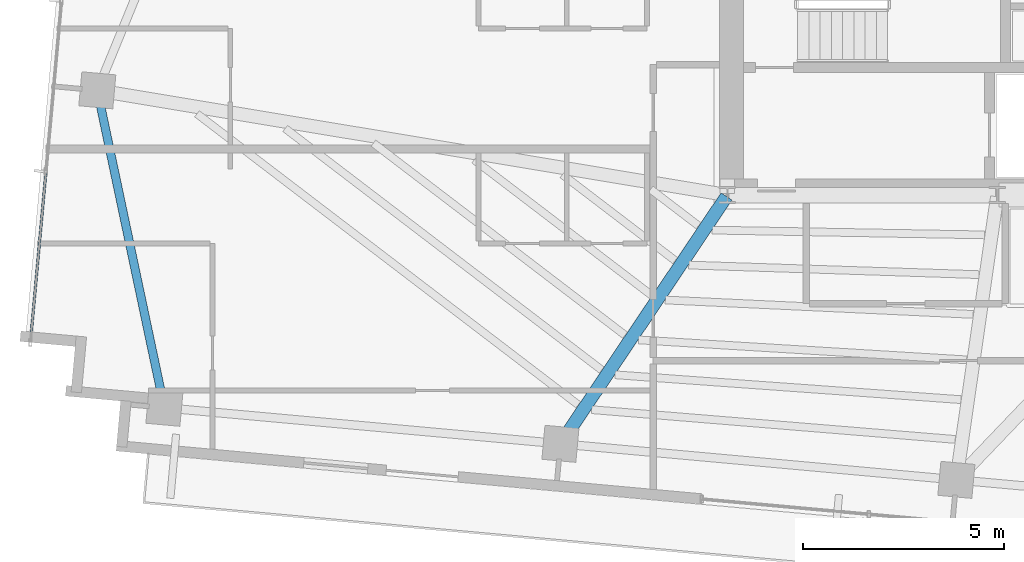
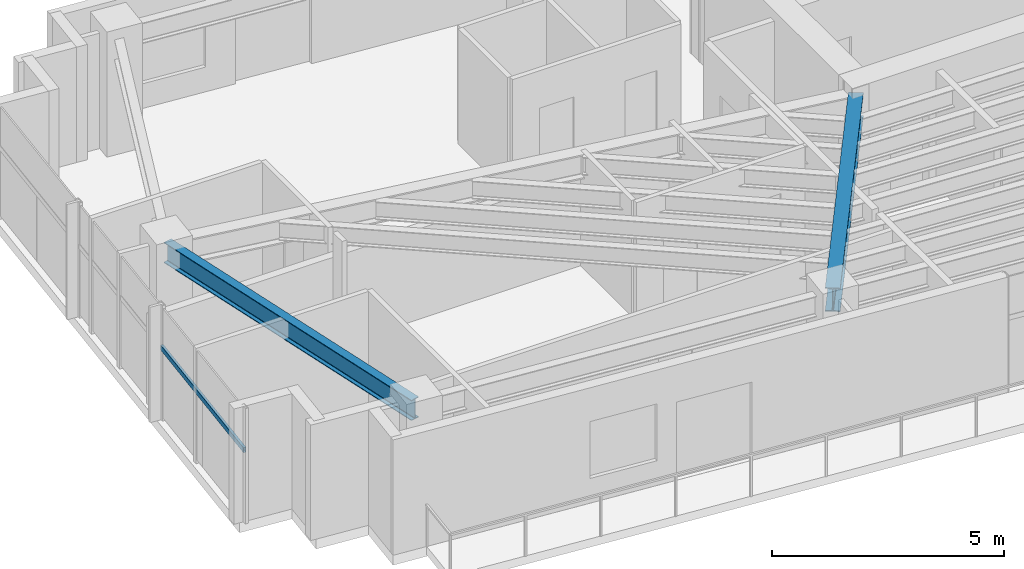
# One storey, part 3 of 22: 2 beams, 1 member, 1 element without a shape of its own.
"""IFC4 building model written with IfcOpenShell, lengths in metres."""

import ifcopenshell
import ifcopenshell.guid

model = None  # the IFC model being written
_history = None  # IfcOwnerHistory: only IFC2X3 demands one
_inside = {}  # id of a spatial element -> (the spatial element, [elements in it])
_under = {}  # id of a project, library or spatial element -> (it, [spatial elements below it])
_declared = {}  # id of a project -> (the project, [libraries it declares])
_typed = {}  # id of a type object -> (the type object, [elements of that type])
_made_of = {}  # id of a material, layer set ... -> (it, [elements and type objects made of it])


def new_model(schema):
    """Start an empty IFC model of exactly this schema.

    Asked for "IFC4X3", IfcOpenShell would pick the latest addendum, in which some entities
    have other attributes; the version numbers below select the first issue.
    IFC2X3 requires an IfcOwnerHistory on every rooted entity: one is made here for all.
    """
    global model, _history
    if schema == "IFC4X3":
        model = ifcopenshell.file(schema_version=(4, 3, 0, 0))
    else:
        model = ifcopenshell.file(schema=schema)
    _inside.clear()
    _under.clear()
    _declared.clear()
    _typed.clear()
    _made_of.clear()
    _history = None
    if model.schema == "IFC2X3":
        org = make("IfcOrganization", Name="unknown")
        user = make(
            "IfcPersonAndOrganization",
            ThePerson=make("IfcPerson", FamilyName="unknown"),
            TheOrganization=org,
        )
        app = make(
            "IfcApplication",
            ApplicationDeveloper=org,
            Version="unknown",
            ApplicationFullName="unknown",
            ApplicationIdentifier="unknown",
        )
        _history = make(
            "IfcOwnerHistory",
            OwningUser=user,
            OwningApplication=app,
            ChangeAction="ADDED",
            CreationDate=0,
        )
    return model


def make(cls, **values):
    """One entity of the class cls with the attributes given. An attribute that is None is left unset."""
    return model.create_entity(
        cls, **{name: value for name, value in values.items() if value is not None}
    )


def rooted(cls, **values):
    """An entity with a GlobalId (a new one), such as an element, a storey or a relation."""
    return make(cls, GlobalId=ifcopenshell.guid.new(), OwnerHistory=_history, **values)


def si_unit(unit_type, name, prefix=None):
    """IfcSIUnit, for example si_unit("LENGTHUNIT", "METRE", prefix="MILLI")."""
    return make("IfcSIUnit", UnitType=unit_type, Prefix=prefix, Name=name)


def assignment(units):
    """IfcUnitAssignment: the units of a project."""
    return None if units is None else make("IfcUnitAssignment", Units=units)


def point(xyz):
    """IfcCartesianPoint."""
    return None if xyz is None else make("IfcCartesianPoint", Coordinates=xyz)


def direction(xyz):
    """IfcDirection."""
    return None if xyz is None else make("IfcDirection", DirectionRatios=xyz)


def frame(location, z_axis=None, x_axis=None):
    """IfcAxis2Placement3D, a coordinate frame: its origin and axes. An axis left out is left unset."""
    return make(
        "IfcAxis2Placement3D",
        Location=point(location),
        Axis=direction(z_axis),
        RefDirection=direction(x_axis),
    )


def frame_2d(location, x_axis=None):
    """IfcAxis2Placement2D, a coordinate frame in the plane: its origin and x axis."""
    return make(
        "IfcAxis2Placement2D", Location=point(location), RefDirection=direction(x_axis)
    )


def origin():
    """The frame at (0, 0, 0) with its axes left unset."""
    return frame((0.0, 0.0, 0.0))


def origin_2d():
    """The frame at (0, 0) in the plane with its x axis left unset."""
    return frame_2d((0.0, 0.0))


def place(relative_to, where):
    """IfcLocalPlacement: puts the frame where relative to a parent placement (None: the world)."""
    return make(
        "IfcLocalPlacement", PlacementRelTo=relative_to, RelativePlacement=where
    )


def context(
    kind, dimensions, precision=None, world=None, true_north=None, identifier=None
):
    """IfcGeometricRepresentationContext, for example the 3D "Model" context."""
    return make(
        "IfcGeometricRepresentationContext",
        ContextIdentifier=identifier,
        ContextType=kind,
        CoordinateSpaceDimension=dimensions,
        Precision=precision,
        WorldCoordinateSystem=world,
        TrueNorth=true_north,
    )


def subcontext(parent, identifier, kind, view, scale=None):
    """IfcGeometricRepresentationSubContext, for example "Body" below "Model"."""
    return make(
        "IfcGeometricRepresentationSubContext",
        ContextIdentifier=identifier,
        ContextType=kind,
        ParentContext=parent,
        TargetScale=scale,
        TargetView=view,
    )


def project(units=None, contexts=None):
    """IfcProject with its units and contexts."""
    return rooted(
        "IfcProject",
        Name="project",
        RepresentationContexts=contexts,
        UnitsInContext=assignment(units),
    )


def spatial(cls, under=None, at=None, **own):
    """A site, building, storey or space (cls), placed at a placement, below another one or the project."""
    s = rooted(cls, ObjectPlacement=at, **own)
    if under is not None:
        _under.setdefault(under.id(), (under, []))[1].append(s)
    return s


def profile(cls, at=None, kind="AREA", **sizes):
    """A parametric profile (cls). Its sizes go by their IFC names, for example OverallWidth=200.0."""
    return make(cls, ProfileType=kind, Position=at, **sizes)


def hollow_rectangle(**sizes):
    """IfcRectangleHollowProfileDef."""
    return profile("IfcRectangleHollowProfileDef", **sizes)


def i_section(**sizes):
    """IfcIShapeProfileDef."""
    return profile("IfcIShapeProfileDef", **sizes)


def extrude(swept, where, along, depth):
    """IfcExtrudedAreaSolid: the profile swept, set in the frame where, extruded along a direction by depth."""
    return make(
        "IfcExtrudedAreaSolid",
        SweptArea=swept,
        Position=where,
        ExtrudedDirection=direction(along),
        Depth=depth,
    )


def shape(context_of_items, identifier, shape_type, items):
    """IfcShapeRepresentation: the items that make up one representation, for example the "Body"."""
    return make(
        "IfcShapeRepresentation",
        ContextOfItems=context_of_items,
        RepresentationIdentifier=identifier,
        RepresentationType=shape_type,
        Items=items,
    )


def source(mapping_origin, context_of_items, identifier, shape_type, items):
    """IfcRepresentationMap: a shape defined once, which mapped items show again and again."""
    return make(
        "IfcRepresentationMap",
        MappingOrigin=mapping_origin,
        MappedRepresentation=shape(context_of_items, identifier, shape_type, items),
    )


def transform(
    local_origin,
    x_axis=None,
    y_axis=None,
    z_axis=None,
    scale=None,
    scale2=None,
    scale3=None,
    uniform=True,
):
    """IfcCartesianTransformationOperator3D, or its non-uniform kind. x_axis, y_axis, z_axis: its Axis1, 2, 3."""
    if uniform:
        return make(
            "IfcCartesianTransformationOperator3D",
            Axis1=direction(x_axis),
            Axis2=direction(y_axis),
            LocalOrigin=point(local_origin),
            Scale=scale,
            Axis3=direction(z_axis),
        )
    return make(
        "IfcCartesianTransformationOperator3DnonUniform",
        Axis1=direction(x_axis),
        Axis2=direction(y_axis),
        LocalOrigin=point(local_origin),
        Scale=scale,
        Axis3=direction(z_axis),
        Scale2=scale2,
        Scale3=scale3,
    )


def mapped(mapping_source, mapping_target):
    """IfcMappedItem: shows the shape of a source again, moved by a transform."""
    return make(
        "IfcMappedItem", MappingSource=mapping_source, MappingTarget=mapping_target
    )


def material(Name=None, Category=None):
    """IfcMaterial."""
    return make("IfcMaterial", Name=Name, Category=Category)


def material_profile(
    of_material, cross_section, Name=None, Category=None, Priority=None
):
    """IfcMaterialProfile: a cross section and its material."""
    return make(
        "IfcMaterialProfile",
        Name=Name,
        Material=of_material,
        Profile=cross_section,
        Priority=Priority,
        Category=Category,
    )


def profile_set(profiles, Name=None, composite=None):
    """IfcMaterialProfileSet."""
    return make(
        "IfcMaterialProfileSet",
        Name=Name,
        MaterialProfiles=profiles,
        CompositeProfile=composite,
    )


def made_of(thing, what):
    """Note that an element or type object is made of a material, layer set ...; save() writes the relation."""
    if what is not None:
        _made_of.setdefault(what.id(), (what, []))[1].append(thing)
    return thing


def type_object(cls, material=None, **own):
    """A type object (cls), such as IfcWallType, which elements share."""
    return made_of(rooted(cls, **own), material)


def type_shapes(of_type, sources):
    """Give a type object the sources (RepresentationMaps) that its elements show as mapped items."""
    of_type.RepresentationMaps = sources


def element(
    cls,
    number,
    at=None,
    inside=None,
    cuts=None,
    type_object=None,
    material=None,
    context=None,
    identifier="Body",
    shape_type=None,
    held_by="IfcProductDefinitionShape",
    body=None,
    shapes=None,
    **own,
):
    """One element of the class cls, such as IfcWall. Its Tag is "e" and its number.

    at: its placement. inside: the storey or other place that contains it. cuts: it is an
    opening in that element (IfcRelVoidsElement). A single representation is given by context,
    identifier, shape_type and body (its items); several are given by shapes. held_by: the class
    of the entity that holds the representations. save() writes the other relations.
    """
    e = rooted(cls, Tag="e%d" % number, ObjectPlacement=at, **own)
    if body is not None:
        shapes = [shape(context, identifier, shape_type, body)]
    if shapes is not None:
        e.Representation = make(held_by, Representations=shapes)
    if inside is not None:
        _inside.setdefault(inside.id(), (inside, []))[1].append(e)
    if cuts is not None:
        rooted(
            "IfcRelVoidsElement", RelatingBuildingElement=cuts, RelatedOpeningElement=e
        )
    if type_object is not None:
        _typed.setdefault(type_object.id(), (type_object, []))[1].append(e)
    return made_of(e, material)


def aggregate(whole, parts):
    """IfcRelAggregates: a whole, such as a stair, and the parts it consists of."""
    return rooted("IfcRelAggregates", RelatingObject=whole, RelatedObjects=parts)


def save(model, path):
    """Write the relations noted so far, then the file.

    IfcRelAggregates (storeys below a building ...), IfcRelContainedInSpatialStructure (elements
    in a storey), IfcRelDefinesByType, IfcRelAssociatesMaterial and IfcRelDeclares: one each for
    every whole, place, type object, material and project.
    """
    for whole, parts in _under.values():
        aggregate(whole, parts)
    for where, things in _inside.values():
        rooted(
            "IfcRelContainedInSpatialStructure",
            RelatedElements=things,
            RelatingStructure=where,
        )
    for kind, things in _typed.values():
        rooted("IfcRelDefinesByType", RelatedObjects=things, RelatingType=kind)
    for what, things in _made_of.values():
        rooted("IfcRelAssociatesMaterial", RelatedObjects=things, RelatingMaterial=what)
    for by, libraries in _declared.values():
        rooted("IfcRelDeclares", RelatingContext=by, RelatedDefinitions=libraries)
    model.write(path)


model = new_model("IFC4")

# Units and contexts
model_context = context("Model", 3, precision=1e-05, world=origin(), true_north=direction((0.0, 1.0)))
body_context = subcontext(model_context, "Body", "Model", "MODEL_VIEW")
ifc_project = project(units=[si_unit("LENGTHUNIT", "METRE"), si_unit("AREAUNIT", "SQUARE_METRE"), si_unit("VOLUMEUNIT", "CUBIC_METRE"), si_unit("PLANEANGLEUNIT", "RADIAN"), si_unit("MASSUNIT", "GRAM", prefix="KILO")], contexts=[model_context])

# Site, building, storey
site_placement = place(None, origin())
site = spatial("IfcSite", under=ifc_project, at=site_placement, CompositionType="ELEMENT")
building_placement = place(site_placement, origin())
building = spatial("IfcBuilding", under=site, at=building_placement, Name="Astriad Promenade Condominiums", CompositionType="ELEMENT")
storey_placement = place(building_placement, frame((0.0, 0.0, 246.300048828125)))
storey = spatial("IfcBuildingStorey", under=building, at=storey_placement, Name="L71", CompositionType="ELEMENT", Elevation=246.300048828125)

# Beams
ifc_material_1 = material(Name="Steel ASTM A992 Grade 50", Category="steel")
ifc_material_profile_1 = material_profile(ifc_material_1, i_section(OverallWidth=0.210693359375, OverallDepth=0.53955078125, WebThickness=0.01171875, FlangeThickness=0.018798828125, FilletRadius=0.0166015625, at=origin_2d()), Name="W21X73")
ifc_profile_set_1 = profile_set([ifc_material_profile_1], Name="Steel ASTM A992 Grade 50")
beam_type_1 = type_object("IfcBeamType", Name="STEEL SPANDREL BEAM W21X73", PredefinedType="SPANDREL", material=ifc_profile_set_1)
shared_shape_1 = source(origin(), body_context, "Body", "SweptSolid", [
    extrude(i_section(OverallWidth=0.210693359375, OverallDepth=0.53955078125, WebThickness=0.01171875, FlangeThickness=0.018798828125, FilletRadius=0.0166015625, at=origin_2d()), origin(), (0.0, 0.0, 1.0), 7.99853515625),
])
type_shapes(beam_type_1, [shared_shape_1])
beam_1_placement = place(storey_placement, frame((10.719482421875, 19.97119140625, 2.770263671875), z_axis=(0.206793407277, -0.978384631271, 0.0), x_axis=(0.978384631271, 0.206793407277, 0.0)))
element("IfcBeam", 1, at=beam_1_placement, inside=storey, type_object=beam_type_1, Name="Perimeter Spandrel Beam SP-W1-L71", PredefinedType="SPANDREL", context=body_context, shape_type="MappedRepresentation", body=[
    mapped(shared_shape_1, transform((0.0, 0.0, 0.0), scale=1.0)),
])
ifc_material_profile_2 = material_profile(ifc_material_1, i_section(OverallWidth=0.326416015625, OverallDepth=0.621826171875, WebThickness=0.015380859375, FlangeThickness=0.0244140625, FilletRadius=0.017822265625, at=origin_2d()), Name="W24X131")
ifc_profile_set_2 = profile_set([ifc_material_profile_2], Name="Steel ASTM A992 Grade 50")
beam_type_2 = type_object("IfcBeamType", Name="STEEL FLOOR GIRDER W24X131", PredefinedType="BEAM", material=ifc_profile_set_2)
shared_shape_2 = source(origin(), body_context, "Body", "SweptSolid", [
    extrude(i_section(OverallWidth=0.326416015625, OverallDepth=0.621826171875, WebThickness=0.015380859375, FlangeThickness=0.0244140625, FilletRadius=0.017822265625, at=origin_2d()), origin(), (0.0, 0.0, 1.0), 7.378173828125),
])
type_shapes(beam_type_2, [shared_shape_2])
beam_2_placement = place(storey_placement, frame((22.263427734375, 11.2421875, 2.72900390625), z_axis=(0.55762901545, 0.830090284926, 0.0), x_axis=(-0.830090284926, 0.55762901545, 0.0)))
element("IfcBeam", 2, at=beam_2_placement, inside=storey, type_object=beam_type_2, Name="Primary Floor Girder PG-W2-L71", PredefinedType="BEAM", context=body_context, shape_type="MappedRepresentation", body=[
    mapped(shared_shape_2, transform((0.0, 0.0, 0.0), scale=1.0)),
])

# Curtain wall, member
ifc_material_2 = material(Name="Anodised aluminium Black Dark Glass Unitised", Category="aluminium")
curtain_wall_type = type_object("IfcCurtainWallType", Name="CW-B5-DARK", PredefinedType="USERDEFINED", material=ifc_material_2)
curtain_wall_placement = place(storey_placement, origin())
curtain_wall = element("IfcCurtainWall", 3, at=curtain_wall_placement, inside=storey, type_object=curtain_wall_type, Name="CW-L71-W", ObjectType="UNITISED_CURTAIN_WALL", PredefinedType="USERDEFINED")
ifc_material_3 = material(Name="Anodised aluminium 6063-T6 Black", Category="aluminium")
ifc_material_profile_3 = material_profile(ifc_material_3, hollow_rectangle(XDim=0.06494140625, YDim=0.1298828125, WallThickness=0.00390625, at=origin_2d()), Name="ALU-TRN-65X130")
ifc_profile_set_3 = profile_set([ifc_material_profile_3], Name="Anodised aluminium 6063-T6 Black")
member_type = type_object("IfcMemberType", Name="TRN-ALU-TRN-65X130", PredefinedType="USERDEFINED", material=ifc_profile_set_3)
shared_shape_3 = source(origin(), body_context, "Body", "SweptSolid", [
    extrude(hollow_rectangle(XDim=0.06494140625, YDim=0.1298828125, WallThickness=0.00390625, at=origin_2d()), origin(), (0.0, 0.0, 1.0), 4.2666015625),
])
type_shapes(member_type, [shared_shape_3])
member_placement = place(storey_placement, frame((9.0458984375, 13.7353515625, 1.884765625), z_axis=(0.090638931954, 0.99588382054, 0.0), x_axis=(-0.99588382054, 0.090638931954, 0.0)))
member = element("IfcMember", 4, at=member_placement, type_object=member_type, Name="CW-L71-W-TRN-00-0", ObjectType="TRANSOM", PredefinedType="USERDEFINED", context=body_context, shape_type="MappedRepresentation", body=[
    mapped(shared_shape_3, transform((0.0, 0.0, 0.0), scale=1.0)),
])
aggregate(curtain_wall, [member])

save(model, "model.ifc")
